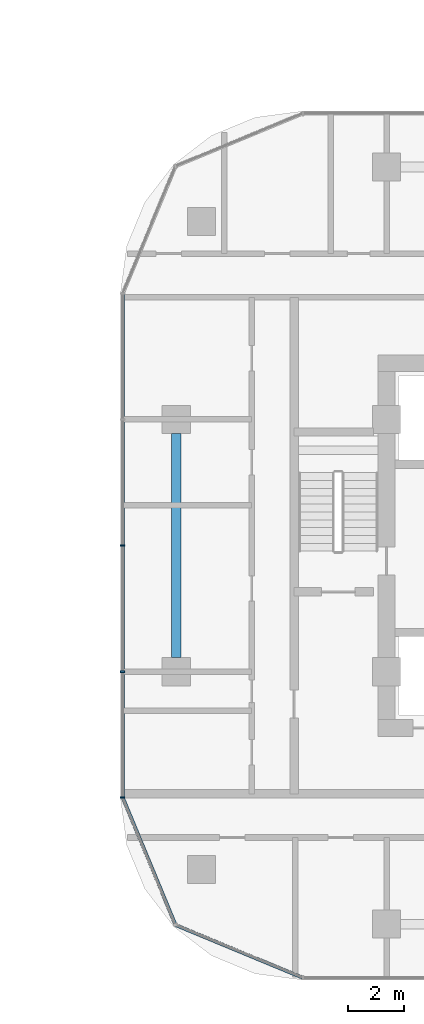
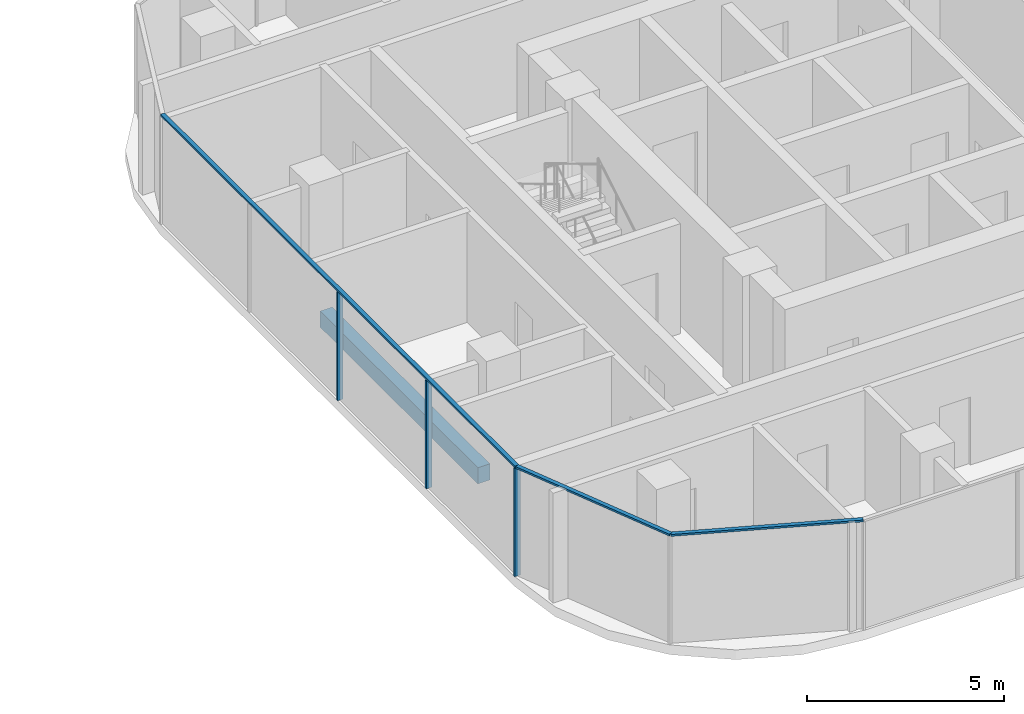
# One storey, part 8 of 32: 6 members, 1 beam, 2 elements without a shape of their own.
"""IFC4 building model written with IfcOpenShell, lengths in metres."""

from ifc_helpers import new_model, si_unit, direction, frame, origin, origin_2d, place, context, subcontext, project, spatial, rectangle, extrude, material, material_profile, profile_set, type_object, element, aggregate, save


model = new_model("IFC4")

# Units and contexts
model_context = context("Model", 3, precision=1e-05, world=origin(), true_north=direction((0.0, 1.0)))
body_context = subcontext(model_context, "Body", "Model", "MODEL_VIEW")
ifc_project = project(units=[si_unit("LENGTHUNIT", "METRE"), si_unit("AREAUNIT", "SQUARE_METRE"), si_unit("VOLUMEUNIT", "CUBIC_METRE"), si_unit("PLANEANGLEUNIT", "RADIAN"), si_unit("MASSUNIT", "GRAM", prefix="KILO")], contexts=[model_context])

# Site, building, storey
site_placement = place(None, origin())
site = spatial("IfcSite", under=ifc_project, at=site_placement, CompositionType="ELEMENT")
building_placement = place(site_placement, origin())
building = spatial("IfcBuilding", under=site, at=building_placement, Name="Ogive Portal Towers", CompositionType="ELEMENT")
storey_placement = place(building_placement, frame((0.0, 0.0, 55.699951171875)))
storey = spatial("IfcBuildingStorey", under=building, at=storey_placement, Name="L12", CompositionType="ELEMENT", Elevation=55.699951171875)

# Curtain wall, members
ifc_material_1 = material(Name="Glass, clear low-iron insulated glazing", Category="glass")
curtain_wall_type = type_object("IfcCurtainWallType", Name="CW RESIDENCES RIBBON", PredefinedType="NOTDEFINED", material=ifc_material_1)
curtain_wall_1_placement = place(storey_placement, origin())
curtain_wall_1 = element("IfcCurtainWall", 1, at=curtain_wall_1_placement, inside=storey, type_object=curtain_wall_type, Name="B:L12:f11:cw0", PredefinedType="NOTDEFINED")
ifc_material_2 = material(Name="Aluminium 6063 anodised", Category="aluminium")
ifc_material_profile_1 = material_profile(ifc_material_2, rectangle(XDim=0.159912109375, YDim=0.06005859375, at=origin_2d()), Name="AL 60x160")
ifc_profile_set_1 = profile_set([ifc_material_profile_1], Name="Aluminium 6063 anodised")
member_type_1 = type_object("IfcMemberType", Name="CW MULLION 60x160", PredefinedType="MULLION", material=ifc_profile_set_1)
member_1_placement = place(storey_placement, frame((119.590087890625, 31.0, 0.0), z_axis=(0.0, 0.0, 1.0), x_axis=(1.0, 0.0, 0.0)))
member_1 = element("IfcMember", 2, at=member_1_placement, type_object=member_type_1, Name="mullion", PredefinedType="MULLION", context=body_context, shape_type="SweptSolid", body=[
    extrude(rectangle(XDim=0.159912109375, YDim=0.06005859375, at=origin_2d()), origin(), (0.0, 0.0, 1.0), 3.340087890625),
])
member_2_placement = place(storey_placement, frame((119.590087890625, 26.5, 0.0), z_axis=(0.0, 0.0, 1.0), x_axis=(1.0, 0.0, 0.0)))
member_2 = element("IfcMember", 3, at=member_2_placement, type_object=member_type_1, Name="mullion", PredefinedType="MULLION", context=body_context, shape_type="SweptSolid", body=[
    extrude(rectangle(XDim=0.159912109375, YDim=0.06005859375, at=origin_2d()), origin(), (0.0, 0.0, 1.0), 3.340087890625),
])
member_3_placement = place(storey_placement, frame((119.590087890625, 22.015869140625, 0.0), z_axis=(0.0, 0.0, 1.0), x_axis=(1.0, 0.0, 0.0)))
member_3 = element("IfcMember", 4, at=member_3_placement, type_object=member_type_1, Name="mullion", PredefinedType="MULLION", context=body_context, shape_type="SweptSolid", body=[
    extrude(rectangle(XDim=0.159912109375, YDim=0.06005859375, at=origin_2d()), origin(), (0.0, 0.0, 1.0), 3.340087890625),
])
ifc_material_profile_2 = material_profile(ifc_material_2, rectangle(XDim=0.1201171875, YDim=0.06005859375, at=origin_2d()), Name="AL 120x60")
ifc_profile_set_2 = profile_set([ifc_material_profile_2], Name="Aluminium 6063 anodised")
member_type_2 = type_object("IfcMemberType", Name="CW TRANSOM 60x120", PredefinedType="USERDEFINED", material=ifc_profile_set_2)
member_4_placement = place(storey_placement, frame((119.590087890625, 39.984130859375, 3.3701171875), z_axis=(0.0, -1.0, 0.0), x_axis=(1.0, 0.0, 0.0)))
member_4 = element("IfcMember", 5, at=member_4_placement, type_object=member_type_2, Name="transom", ObjectType="TRANSOM", PredefinedType="USERDEFINED", context=body_context, shape_type="SweptSolid", body=[
    extrude(rectangle(XDim=0.1201171875, YDim=0.06005859375, at=origin_2d()), origin(), (0.0, 0.0, 1.0), 17.96826171875),
])
aggregate(curtain_wall_1, [member_4, member_1, member_2, member_3])

curtain_wall_2_placement = place(storey_placement, origin())
curtain_wall_2 = element("IfcCurtainWall", 6, at=curtain_wall_2_placement, inside=storey, type_object=curtain_wall_type, Name="B:L12:f00:cwa", PredefinedType="NOTDEFINED")
member_5_placement = place(storey_placement, frame((119.590087890625, 22.015869140625, 3.3701171875), z_axis=(0.382686457306, -0.923878279534, 0.0), x_axis=(0.923878279534, 0.382686457306, 0.0)))
member_5 = element("IfcMember", 7, at=member_5_placement, type_object=member_type_2, Name="transom", ObjectType="TRANSOM", PredefinedType="USERDEFINED", context=body_context, shape_type="SweptSolid", body=[
    extrude(rectangle(XDim=0.1201171875, YDim=0.06005859375, at=origin_2d()), origin(), (0.0, 0.0, 1.0), 4.91796875),
])
member_6_placement = place(storey_placement, frame((121.47216796875, 17.47216796875, 3.3701171875), z_axis=(0.923878279534, -0.382686457306, 0.0), x_axis=(0.382686457306, 0.923878279534, 0.0)))
member_6 = element("IfcMember", 8, at=member_6_placement, type_object=member_type_2, Name="transom", ObjectType="TRANSOM", PredefinedType="USERDEFINED", context=body_context, shape_type="SweptSolid", body=[
    extrude(rectangle(XDim=0.1201171875, YDim=0.06005859375, at=origin_2d()), origin(), (0.0, 0.0, 1.0), 4.91796875),
])
aggregate(curtain_wall_2, [member_5, member_6])

# Beam
ifc_material_3 = material(Name="Concrete C50/60", Category="concrete")
ifc_material_profile_3 = material_profile(ifc_material_3, rectangle(XDim=0.35009765625, YDim=0.5, at=origin_2d()), Name="RC 350x500")
ifc_profile_set_3 = profile_set([ifc_material_profile_3], Name="Concrete C50/60")
beam_type = type_object("IfcBeamType", Name="SPANDREL BEAM RC 350x500", PredefinedType="BEAM", material=ifc_profile_set_3)
beam_placement = place(storey_placement, frame((121.5, 35.0, -0.550048828125), z_axis=(0.0, -1.0, 0.0), x_axis=(1.0, 0.0, 0.0)))
element("IfcBeam", 9, at=beam_placement, inside=storey, type_object=beam_type, Name="Spandrel beam L12", PredefinedType="BEAM", context=body_context, shape_type="SweptSolid", body=[
    extrude(rectangle(XDim=0.35009765625, YDim=0.5, at=origin_2d()), origin(), (0.0, 0.0, 1.0), 8.0),
])

save(model, "model.ifc")
